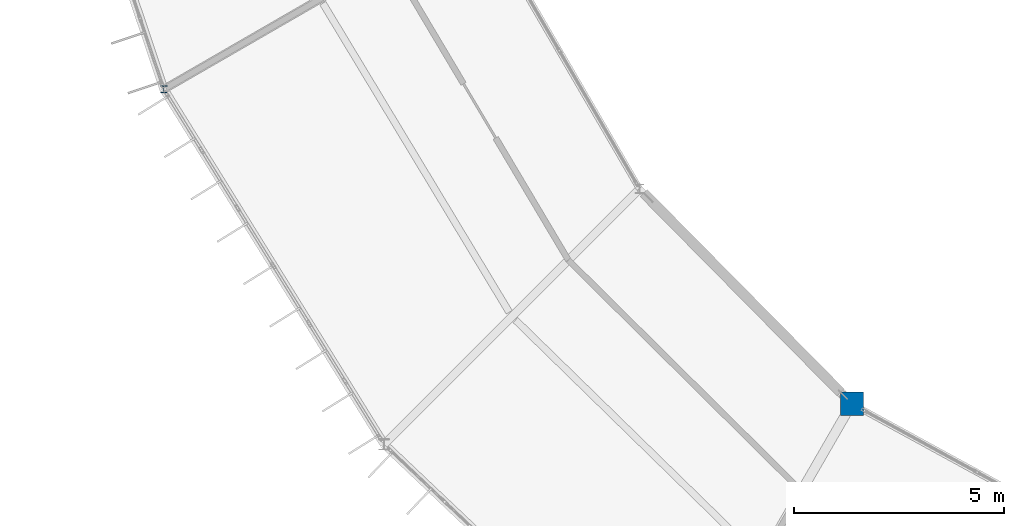
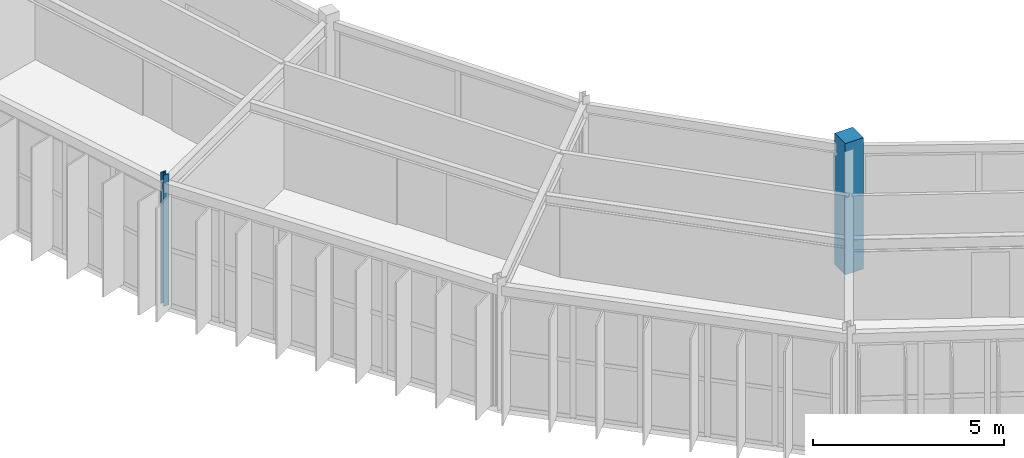
# One storey, part 3 of 157: 2 columns.
"""IFC4 building model written with IfcOpenShell, lengths in metres."""

from ifc_helpers import new_model, si_unit, direction, frame, origin, origin_2d, place, context, subcontext, project, spatial, rectangle, i_section, extrude, material, material_profile, profile_set, type_object, element, save


model = new_model("IFC4")

# Units and contexts
model_context = context("Model", 3, precision=1e-05, world=origin(), true_north=direction((0.0, 1.0)))
body_context = subcontext(model_context, "Body", "Model", "MODEL_VIEW")
ifc_project = project(units=[si_unit("LENGTHUNIT", "METRE"), si_unit("AREAUNIT", "SQUARE_METRE"), si_unit("VOLUMEUNIT", "CUBIC_METRE"), si_unit("PLANEANGLEUNIT", "RADIAN"), si_unit("MASSUNIT", "GRAM", prefix="KILO")], contexts=[model_context])

# Site, building, storey
site_placement = place(None, origin())
site = spatial("IfcSite", under=ifc_project, at=site_placement, CompositionType="ELEMENT")
building_placement = place(site_placement, origin())
building = spatial("IfcBuilding", under=site, at=building_placement, Name="Karori Crest Natural Sciences Institute", CompositionType="ELEMENT")
storey_placement = place(building_placement, frame((0.0, 0.0, 13.300048828125)))
storey = spatial("IfcBuildingStorey", under=building, at=storey_placement, Name="L03", CompositionType="ELEMENT", Elevation=13.300048828125)

# Columns
ifc_material_1 = material(Name="Structural steel AS/NZS 3679.1 Grade 350", Category="steel")
ifc_material_profile_1 = material_profile(ifc_material_1, i_section(OverallWidth=0.154052734375, OverallDepth=0.162109375, WebThickness=0.008056640625, FlangeThickness=0.011474609375, FilletRadius=0.009033203125, at=origin_2d()), Name="150UC37.2")
ifc_profile_set_1 = profile_set([ifc_material_profile_1], Name="Structural steel AS/NZS 3679.1 Grade 350")
column_type_1 = type_object("IfcColumnType", Name="CT-26", PredefinedType="COLUMN", material=ifc_profile_set_1)
column_1_placement = place(storey_placement, frame((37.8212890625, 29.5, 0.0), z_axis=(0.0, 0.0, 1.0), x_axis=(1.0, 0.0, 0.0)))
element("IfcColumn", 1, at=column_1_placement, inside=storey, type_object=column_type_1, Name="Column C-0245", PredefinedType="COLUMN", context=body_context, shape_type="SweptSolid", body=[
    extrude(i_section(OverallWidth=0.154052734375, OverallDepth=0.162109375, WebThickness=0.008056640625, FlangeThickness=0.011474609375, FilletRadius=0.009033203125, at=origin_2d()), origin(), (0.0, 0.0, 1.0), 4.199951171875),
])
ifc_material_2 = material(Name="Concrete 50 MPa", Category="concrete")
ifc_material_profile_2 = material_profile(ifc_material_2, rectangle(XDim=0.550048828125, YDim=0.550048828125, at=origin_2d()), Name="RC550x550")
ifc_profile_set_2 = profile_set([ifc_material_profile_2], Name="Concrete 50 MPa")
column_type_2 = type_object("IfcColumnType", Name="CT-30", PredefinedType="COLUMN", material=ifc_profile_set_2)
column_2_placement = place(storey_placement, frame((54.199951171875, 22.013916015625, 0.0), z_axis=(0.0, 0.0, 1.0), x_axis=(1.0, 0.0, 0.0)))
element("IfcColumn", 2, at=column_2_placement, inside=storey, type_object=column_type_2, Name="Column C-0274", PredefinedType="COLUMN", context=body_context, shape_type="SweptSolid", body=[
    extrude(rectangle(XDim=0.550048828125, YDim=0.550048828125, at=origin_2d()), origin(), (0.0, 0.0, 1.0), 4.199951171875),
])

save(model, "model.ifc")
